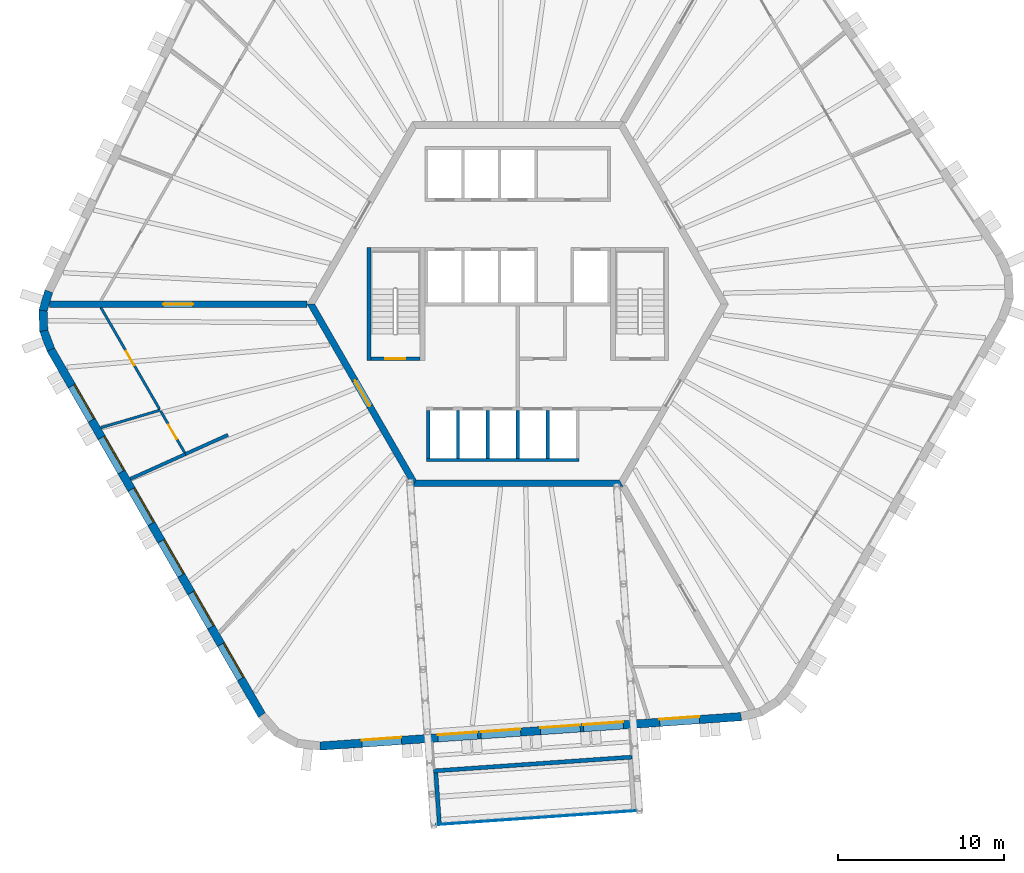
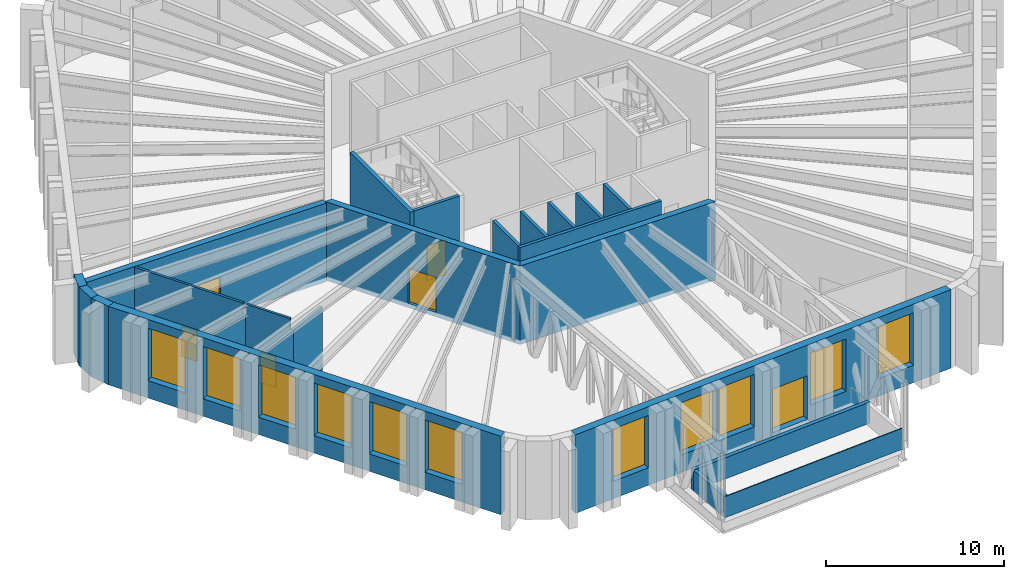
# One storey, part 3 of 9: 24 walls, 11 windows, 6 doors, 17 openings.
"""IFC4 building model written with IfcOpenShell, lengths in metres."""

import ifcopenshell
import ifcopenshell.guid

model = None  # the IFC model being written
_history = None  # IfcOwnerHistory: only IFC2X3 demands one
_inside = {}  # id of a spatial element -> (the spatial element, [elements in it])
_under = {}  # id of a project, library or spatial element -> (it, [spatial elements below it])
_declared = {}  # id of a project -> (the project, [libraries it declares])
_typed = {}  # id of a type object -> (the type object, [elements of that type])
_made_of = {}  # id of a material, layer set ... -> (it, [elements and type objects made of it])


def new_model(schema):
    """Start an empty IFC model of exactly this schema.

    Asked for "IFC4X3", IfcOpenShell would pick the latest addendum, in which some entities
    have other attributes; the version numbers below select the first issue.
    IFC2X3 requires an IfcOwnerHistory on every rooted entity: one is made here for all.
    """
    global model, _history
    if schema == "IFC4X3":
        model = ifcopenshell.file(schema_version=(4, 3, 0, 0))
    else:
        model = ifcopenshell.file(schema=schema)
    _inside.clear()
    _under.clear()
    _declared.clear()
    _typed.clear()
    _made_of.clear()
    _history = None
    if model.schema == "IFC2X3":
        org = make("IfcOrganization", Name="unknown")
        user = make(
            "IfcPersonAndOrganization",
            ThePerson=make("IfcPerson", FamilyName="unknown"),
            TheOrganization=org,
        )
        app = make(
            "IfcApplication",
            ApplicationDeveloper=org,
            Version="unknown",
            ApplicationFullName="unknown",
            ApplicationIdentifier="unknown",
        )
        _history = make(
            "IfcOwnerHistory",
            OwningUser=user,
            OwningApplication=app,
            ChangeAction="ADDED",
            CreationDate=0,
        )
    return model


def make(cls, **values):
    """One entity of the class cls with the attributes given. An attribute that is None is left unset."""
    return model.create_entity(
        cls, **{name: value for name, value in values.items() if value is not None}
    )


def rooted(cls, **values):
    """An entity with a GlobalId (a new one), such as an element, a storey or a relation."""
    return make(cls, GlobalId=ifcopenshell.guid.new(), OwnerHistory=_history, **values)


def si_unit(unit_type, name, prefix=None):
    """IfcSIUnit, for example si_unit("LENGTHUNIT", "METRE", prefix="MILLI")."""
    return make("IfcSIUnit", UnitType=unit_type, Prefix=prefix, Name=name)


def assignment(units):
    """IfcUnitAssignment: the units of a project."""
    return None if units is None else make("IfcUnitAssignment", Units=units)


def point(xyz):
    """IfcCartesianPoint."""
    return None if xyz is None else make("IfcCartesianPoint", Coordinates=xyz)


def direction(xyz):
    """IfcDirection."""
    return None if xyz is None else make("IfcDirection", DirectionRatios=xyz)


def frame(location, z_axis=None, x_axis=None):
    """IfcAxis2Placement3D, a coordinate frame: its origin and axes. An axis left out is left unset."""
    return make(
        "IfcAxis2Placement3D",
        Location=point(location),
        Axis=direction(z_axis),
        RefDirection=direction(x_axis),
    )


def frame_2d(location, x_axis=None):
    """IfcAxis2Placement2D, a coordinate frame in the plane: its origin and x axis."""
    return make(
        "IfcAxis2Placement2D", Location=point(location), RefDirection=direction(x_axis)
    )


def origin():
    """The frame at (0, 0, 0) with its axes left unset."""
    return frame((0.0, 0.0, 0.0))


def place(relative_to, where):
    """IfcLocalPlacement: puts the frame where relative to a parent placement (None: the world)."""
    return make(
        "IfcLocalPlacement", PlacementRelTo=relative_to, RelativePlacement=where
    )


def context(
    kind, dimensions, precision=None, world=None, true_north=None, identifier=None
):
    """IfcGeometricRepresentationContext, for example the 3D "Model" context."""
    return make(
        "IfcGeometricRepresentationContext",
        ContextIdentifier=identifier,
        ContextType=kind,
        CoordinateSpaceDimension=dimensions,
        Precision=precision,
        WorldCoordinateSystem=world,
        TrueNorth=true_north,
    )


def subcontext(parent, identifier, kind, view, scale=None):
    """IfcGeometricRepresentationSubContext, for example "Body" below "Model"."""
    return make(
        "IfcGeometricRepresentationSubContext",
        ContextIdentifier=identifier,
        ContextType=kind,
        ParentContext=parent,
        TargetScale=scale,
        TargetView=view,
    )


def project(units=None, contexts=None):
    """IfcProject with its units and contexts."""
    return rooted(
        "IfcProject",
        Name="project",
        RepresentationContexts=contexts,
        UnitsInContext=assignment(units),
    )


def spatial(cls, under=None, at=None, **own):
    """A site, building, storey or space (cls), placed at a placement, below another one or the project."""
    s = rooted(cls, ObjectPlacement=at, **own)
    if under is not None:
        _under.setdefault(under.id(), (under, []))[1].append(s)
    return s


def polyline(points):
    """IfcPolyline through the points."""
    return make("IfcPolyline", Points=[point(p) for p in points])


def profile(cls, at=None, kind="AREA", **sizes):
    """A parametric profile (cls). Its sizes go by their IFC names, for example OverallWidth=200.0."""
    return make(cls, ProfileType=kind, Position=at, **sizes)


def rectangle(**sizes):
    """IfcRectangleProfileDef."""
    return profile("IfcRectangleProfileDef", **sizes)


def outline(outer, holes=None, kind="AREA"):
    """IfcArbitraryClosedProfileDef: a profile drawn as a closed curve; with holes, ...WithVoids."""
    if holes is None:
        return make("IfcArbitraryClosedProfileDef", ProfileType=kind, OuterCurve=outer)
    return make(
        "IfcArbitraryProfileDefWithVoids",
        ProfileType=kind,
        OuterCurve=outer,
        InnerCurves=holes,
    )


def extrude(swept, where, along, depth):
    """IfcExtrudedAreaSolid: the profile swept, set in the frame where, extruded along a direction by depth."""
    return make(
        "IfcExtrudedAreaSolid",
        SweptArea=swept,
        Position=where,
        ExtrudedDirection=direction(along),
        Depth=depth,
    )


def shape(context_of_items, identifier, shape_type, items):
    """IfcShapeRepresentation: the items that make up one representation, for example the "Body"."""
    return make(
        "IfcShapeRepresentation",
        ContextOfItems=context_of_items,
        RepresentationIdentifier=identifier,
        RepresentationType=shape_type,
        Items=items,
    )


def material(Name=None, Category=None):
    """IfcMaterial."""
    return make("IfcMaterial", Name=Name, Category=Category)


def layer(
    of_material, thickness, ventilated=None, Name=None, Category=None, Priority=None
):
    """IfcMaterialLayer: one layer of a wall or slab, of a material (None: an air gap)."""
    return make(
        "IfcMaterialLayer",
        Material=of_material,
        LayerThickness=thickness,
        IsVentilated=ventilated,
        Name=Name,
        Category=Category,
        Priority=Priority,
    )


def layer_set(layers, Name=None):
    """IfcMaterialLayerSet."""
    return make("IfcMaterialLayerSet", MaterialLayers=layers, LayerSetName=Name)


def made_of(thing, what):
    """Note that an element or type object is made of a material, layer set ...; save() writes the relation."""
    if what is not None:
        _made_of.setdefault(what.id(), (what, []))[1].append(thing)
    return thing


def type_object(cls, material=None, **own):
    """A type object (cls), such as IfcWallType, which elements share."""
    return made_of(rooted(cls, **own), material)


def element(
    cls,
    number,
    at=None,
    inside=None,
    cuts=None,
    type_object=None,
    material=None,
    context=None,
    identifier="Body",
    shape_type=None,
    held_by="IfcProductDefinitionShape",
    body=None,
    shapes=None,
    **own,
):
    """One element of the class cls, such as IfcWall. Its Tag is "e" and its number.

    at: its placement. inside: the storey or other place that contains it. cuts: it is an
    opening in that element (IfcRelVoidsElement). A single representation is given by context,
    identifier, shape_type and body (its items); several are given by shapes. held_by: the class
    of the entity that holds the representations. save() writes the other relations.
    """
    e = rooted(cls, Tag="e%d" % number, ObjectPlacement=at, **own)
    if body is not None:
        shapes = [shape(context, identifier, shape_type, body)]
    if shapes is not None:
        e.Representation = make(held_by, Representations=shapes)
    if inside is not None:
        _inside.setdefault(inside.id(), (inside, []))[1].append(e)
    if cuts is not None:
        rooted(
            "IfcRelVoidsElement", RelatingBuildingElement=cuts, RelatedOpeningElement=e
        )
    if type_object is not None:
        _typed.setdefault(type_object.id(), (type_object, []))[1].append(e)
    return made_of(e, material)


def fill(opening, filler):
    """IfcRelFillsElement: the door or window that sits in an opening."""
    return rooted(
        "IfcRelFillsElement",
        RelatingOpeningElement=opening,
        RelatedBuildingElement=filler,
    )


def aggregate(whole, parts):
    """IfcRelAggregates: a whole, such as a stair, and the parts it consists of."""
    return rooted("IfcRelAggregates", RelatingObject=whole, RelatedObjects=parts)


def save(model, path):
    """Write the relations noted so far, then the file.

    IfcRelAggregates (storeys below a building ...), IfcRelContainedInSpatialStructure (elements
    in a storey), IfcRelDefinesByType, IfcRelAssociatesMaterial and IfcRelDeclares: one each for
    every whole, place, type object, material and project.
    """
    for whole, parts in _under.values():
        aggregate(whole, parts)
    for where, things in _inside.values():
        rooted(
            "IfcRelContainedInSpatialStructure",
            RelatedElements=things,
            RelatingStructure=where,
        )
    for kind, things in _typed.values():
        rooted("IfcRelDefinesByType", RelatedObjects=things, RelatingType=kind)
    for what, things in _made_of.values():
        rooted("IfcRelAssociatesMaterial", RelatedObjects=things, RelatingMaterial=what)
    for by, libraries in _declared.values():
        rooted("IfcRelDeclares", RelatingContext=by, RelatedDefinitions=libraries)
    model.write(path)


model = new_model("IFC4")

# Units and contexts
model_context = context("Model", 3, precision=1e-05, world=origin(), true_north=direction((0.0, 1.0)))
body_context = subcontext(model_context, "Body", "Model", "MODEL_VIEW")
ifc_project = project(units=[si_unit("LENGTHUNIT", "METRE"), si_unit("AREAUNIT", "SQUARE_METRE"), si_unit("VOLUMEUNIT", "CUBIC_METRE"), si_unit("PLANEANGLEUNIT", "RADIAN"), si_unit("MASSUNIT", "GRAM", prefix="KILO")], contexts=[model_context])

# Site, building, storey
site_placement = place(None, origin())
site = spatial("IfcSite", under=ifc_project, at=site_placement, CompositionType="ELEMENT")
building_placement = place(site_placement, origin())
building = spatial("IfcBuilding", under=site, at=building_placement, Name="Tarnside Tower", CompositionType="ELEMENT")
storey_placement = place(building_placement, frame((0.0, 0.0, 338.10009765625)))
storey = spatial("IfcBuildingStorey", under=building, at=storey_placement, Name="L82", CompositionType="ELEMENT", Elevation=338.10009765625)

# Wall, opening, door
ifc_material_1 = material(Name="Concrete C60/75", Category="concrete")
ifc_layer_1 = layer(ifc_material_1, 0.39990234375)
ifc_layer_set_1 = layer_set([ifc_layer_1], Name="Core wall Z3 400 C60/75")
wall_type_1 = type_object("IfcWallType", Name="Core wall Z3 400 C60/75", PredefinedType="SHEAR", material=ifc_layer_set_1)
wall_1_placement = place(storey_placement, frame((-12.470703125, 0.0, -0.300048828125), z_axis=(0.0, 0.0, 1.0), x_axis=(0.499996419489, -0.866027470984, 0.0)))
wall_1 = element("IfcWall", 1, at=wall_1_placement, inside=storey, type_object=wall_type_1, Name="L82 core wall face 3", PredefinedType="SHEAR", context=body_context, shape_type="SweptSolid", body=[
    extrude(outline(polyline([(-0.115478515625, -0.199951171875), (12.586181640625, -0.199951171875), (12.355224609375, 0.199951171875), (0.115478515625, 0.199951171875), (-0.115478515625, -0.199951171875)])), origin(), (0.0, 0.0, 1.0), 5.39990234375),
])
opening_1_placement = place(wall_1_placement, frame((5.306396484375, 0.0, 0.300048828125)))
opening_1 = element("IfcOpeningElement", 2, at=opening_1_placement, cuts=wall_1, Name="Opening CD-FFL", PredefinedType="OPENING", context=body_context, shape_type="SweptSolid", body=[
    extrude(rectangle(XDim=1.800048828125, YDim=2.39990234375, at=frame_2d((0.89990234375, 1.199951171875))), frame((0.0, 0.2099609375, 0.0), z_axis=(0.0, -1.0, 0.0), x_axis=(1.0, 0.0, 0.0)), (0.0, 0.0, 1.0), 0.419921875),
])
ifc_material_2 = material(Name="Steel fire door", Category="steel")
door_type_1 = type_object("IfcDoorType", Name="Firefighting lobby double door FD60S 1800x2400", OperationType="NOTDEFINED", PredefinedType="DOOR", material=ifc_material_2)
door_1_placement = place(opening_1_placement, origin())
door_1 = element("IfcDoor", 3, at=door_1_placement, inside=storey, type_object=door_type_1, Name="L82 core door P3", OperationType="DOUBLE_DOOR_SINGLE_SWING", OverallHeight=2.39990234375, OverallWidth=1.800048828125, PredefinedType="DOOR", context=body_context, shape_type="SweptSolid", body=[
    extrude(rectangle(XDim=1.800048828125, YDim=2.39990234375, at=frame_2d((0.89990234375, 1.199951171875))), frame((0.0, 0.02490234375, 0.0), z_axis=(0.0, -1.0, 0.0), x_axis=(1.0, 0.0, 0.0)), (0.0, 0.0, 1.0), 0.050048828125),
])
fill(opening_1, door_1)

# Wall
wall_2_placement = place(storey_placement, frame((-6.2353515625, -10.800048828125, -0.300048828125), z_axis=(0.0, 0.0, 1.0), x_axis=(1.0, 0.0, 0.0)))
element("IfcWall", 4, at=wall_2_placement, inside=storey, type_object=wall_type_1, Name="L82 core wall face 4", PredefinedType="SHEAR", context=body_context, shape_type="SweptSolid", body=[
    extrude(outline(polyline([(-0.115478515625, -0.199951171875), (12.586181640625, -0.199951171875), (12.355224609375, 0.199951171875), (0.115478515625, 0.199951171875), (-0.115478515625, -0.199951171875)])), origin(), (0.0, 0.0, 1.0), 5.39990234375),
])

# Wall, opening, door
wall_3_placement = place(storey_placement, frame((-12.70166015625, 0.0, -0.300048828125), z_axis=(0.0, 0.0, 1.0), x_axis=(-1.0, 0.0, 0.0)))
wall_3 = element("IfcWall", 5, at=wall_3_placement, inside=storey, type_object=wall_type_1, Name="L82 spine wall 2", PredefinedType="SHEAR", context=body_context, shape_type="SweptSolid", body=[
    extrude(rectangle(XDim=15.54443359375, YDim=0.39990234375, at=frame_2d((7.772216796875, 0.0))), origin(), (0.0, 0.0, 1.0), 5.39990234375),
])
opening_2_placement = place(wall_3_placement, frame((6.872314453125, 0.0, 0.300048828125)))
opening_2 = element("IfcOpeningElement", 6, at=opening_2_placement, cuts=wall_3, Name="Opening CD-SPN", PredefinedType="OPENING", context=body_context, shape_type="SweptSolid", body=[
    extrude(rectangle(XDim=1.800048828125, YDim=2.39990234375, at=frame_2d((0.89990234375, 1.199951171875))), frame((0.0, 0.2099609375, 0.0), z_axis=(0.0, -1.0, 0.0), x_axis=(1.0, 0.0, 0.0)), (0.0, 0.0, 1.0), 0.419921875),
])
door_type_2 = type_object("IfcDoorType", Name="Spine passage double door FD60 1800x2400", OperationType="NOTDEFINED", PredefinedType="DOOR", material=ifc_material_2)
door_2_placement = place(opening_2_placement, origin())
door_2 = element("IfcDoor", 7, at=door_2_placement, inside=storey, type_object=door_type_2, Name="L82 spine passage door 2", OperationType="DOUBLE_DOOR_SINGLE_SWING", OverallHeight=2.39990234375, OverallWidth=1.800048828125, PredefinedType="DOOR", context=body_context, shape_type="SweptSolid", body=[
    extrude(rectangle(XDim=1.800048828125, YDim=2.39990234375, at=frame_2d((0.89990234375, 1.199951171875))), frame((0.0, 0.02490234375, 0.0), z_axis=(0.0, -1.0, 0.0), x_axis=(1.0, 0.0, 0.0)), (0.0, 0.0, 1.0), 0.050048828125),
])
fill(opening_2, door_2)

# Walls
ifc_material_3 = material(Name="Concrete C40/50", Category="concrete")
ifc_layer_2 = layer(ifc_material_3, 0.199951171875)
ifc_layer_set_2 = layer_set([ifc_layer_2], Name="Lift shaft wall 200 C40/50")
wall_type_2 = type_object("IfcWallType", Name="Lift shaft wall 200 C40/50", PredefinedType="SHEAR", material=ifc_layer_set_2)
wall_4_placement = place(storey_placement, frame((-5.5, -9.39990234375, -0.25), z_axis=(0.0, 0.0, 1.0), x_axis=(1.0, 0.0, 0.0)))
element("IfcWall", 8, at=wall_4_placement, inside=storey, type_object=wall_type_2, Name="L82 lift shaft back wall R4", PredefinedType="SHEAR", context=body_context, shape_type="SweptSolid", body=[
    extrude(rectangle(XDim=9.199951171875, YDim=0.199951171875, at=frame_2d((4.60009765625, 0.0))), origin(), (0.0, 0.0, 1.0), 5.39990234375),
])
for number, where, z_axis, x_axis, name in (
    (9, (-5.39990234375, -9.300048828125, -0.25), (0.0, 0.0, 1.0), (0.0, 1.0, 0.0), "L82 lift shaft partition R41"),
    (10, (-3.60009765625, -9.300048828125, -0.25), (0.0, 0.0, 1.0), (0.0, 1.0, 0.0), "L82 lift shaft partition R42"),
    (11, (-1.800048828125, -9.300048828125, -0.25), (0.0, 0.0, 1.0), (0.0, 1.0, 0.0), "L82 lift shaft partition R43"),
    (12, (0.0, -9.300048828125, -0.25), (0.0, 0.0, 1.0), (0.0, 1.0, 0.0), "L82 lift shaft partition R44"),
    (13, (1.800048828125, -9.300048828125, -0.25), (0.0, 0.0, 1.0), (0.0, 1.0, 0.0), "L82 lift shaft partition R45"),
):
    element("IfcWall", number, at=place(storey_placement, frame(where, z_axis=z_axis, x_axis=x_axis)), inside=storey, type_object=wall_type_2, Name=name, PredefinedType="SHEAR", context=body_context, shape_type="SweptSolid", body=[
        extrude(rectangle(XDim=2.900146484375, YDim=0.199951171875, at=frame_2d((1.4501953125, 0.0))), origin(), (0.0, 0.0, 1.0), 5.39990234375),
    ])

# Wall, opening, door
wall_5_placement = place(storey_placement, frame((-8.85009765625, -3.300048828125, -0.25), z_axis=(0.0, 0.0, 1.0), x_axis=(1.0, 0.0, 0.0)))
wall_5 = element("IfcWall", 14, at=wall_5_placement, inside=storey, type_object=wall_type_2, Name="L82 stair 2 enclosure cap wall s", PredefinedType="SHEAR", context=body_context, shape_type="SweptSolid", body=[
    extrude(rectangle(XDim=2.9501953125, YDim=0.199951171875, at=frame_2d((1.47509765625, 0.0))), origin(), (0.0, 0.0, 1.0), 5.39990234375),
])
opening_3_placement = place(wall_5_placement, frame((0.875, 0.0, 0.25)))
opening_3 = element("IfcOpeningElement", 15, at=opening_3_placement, cuts=wall_5, Name="Opening CD-STR", PredefinedType="OPENING", context=body_context, shape_type="SweptSolid", body=[
    extrude(rectangle(XDim=1.199951171875, YDim=2.39990234375, at=frame_2d((0.60009765625, 1.199951171875))), frame((0.0, 0.10986328125, 0.0), z_axis=(0.0, -1.0, 0.0), x_axis=(1.0, 0.0, 0.0)), (0.0, 0.0, 1.0), 0.219970703125),
])
door_type_3 = type_object("IfcDoorType", Name="Stair door FD60S 1200x2400", OperationType="NOTDEFINED", PredefinedType="DOOR", material=ifc_material_2)
door_3_placement = place(opening_3_placement, origin())
door_3 = element("IfcDoor", 16, at=door_3_placement, inside=storey, type_object=door_type_3, Name="L82 stair 2 door", OperationType="SINGLE_SWING_LEFT", OverallHeight=2.39990234375, OverallWidth=1.199951171875, PredefinedType="DOOR", context=body_context, shape_type="SweptSolid", body=[
    extrude(rectangle(XDim=1.199951171875, YDim=2.39990234375, at=frame_2d((0.60009765625, 1.199951171875))), frame((0.0, 0.02490234375, 0.0), z_axis=(0.0, -1.0, 0.0), x_axis=(1.0, 0.0, 0.0)), (0.0, 0.0, 1.0), 0.050048828125),
])
fill(opening_3, door_3)

# Wall
ifc_material_4 = material(Name="Gypsum board")
ifc_layer_3 = layer(ifc_material_4, 0.14990234375)
ifc_layer_set_3 = layer_set([ifc_layer_3], Name="Partition 150 gypsum board on metal stud")
wall_type_3 = type_object("IfcWallType", Name="Partition 150 gypsum board on metal stud", PredefinedType="PARTITIONING", material=ifc_layer_set_3)
wall_6_placement = place(storey_placement, frame((-25.14111328125, -7.4541015625, 0.0), z_axis=(0.0, 0.0, 1.0), x_axis=(0.958757197132, 0.28422638327, 0.0)))
element("IfcWall", 17, at=wall_6_placement, inside=storey, type_object=wall_type_3, Name="Partition 000", PredefinedType="PARTITIONING", context=body_context, shape_type="SweptSolid", body=[
    extrude(rectangle(XDim=3.733154296875, YDim=0.14990234375, at=frame_2d((1.86669921875, 0.0))), origin(), (0.0, 0.0, 1.0), 4.345947265625),
])

# Wall, opening, door
wall_7_placement = place(storey_placement, frame((-21.6005859375, -6.326171875, 0.0), z_axis=(0.0, 0.0, 1.0), x_axis=(-0.500040111433, 0.866002244199, 0.0)))
wall_7 = element("IfcWall", 18, at=wall_7_placement, inside=storey, type_object=wall_type_3, Name="Partition 001", PredefinedType="PARTITIONING", context=body_context, shape_type="SweptSolid", body=[
    extrude(rectangle(XDim=7.07421875, YDim=0.14990234375, at=frame_2d((3.537109375, 0.0))), origin(), (0.0, 0.0, 1.0), 5.099853515625),
])
opening_4_placement = place(wall_7_placement, frame((3.037109375, 0.0, 0.0)))
opening_4 = element("IfcOpeningElement", 19, at=opening_4_placement, cuts=wall_7, Name="Opening D1000", PredefinedType="OPENING", context=body_context, shape_type="SweptSolid", body=[
    extrude(rectangle(XDim=1.0, YDim=2.10009765625, at=frame_2d((0.5, 1.050048828125))), frame((0.0, 0.0849609375, 0.0), z_axis=(0.0, -1.0, 0.0), x_axis=(1.0, 0.0, 0.0)), (0.0, 0.0, 1.0), 0.169921875),
])
ifc_material_5 = material(Name="Timber door leaf", Category="wood")
door_type_4 = type_object("IfcDoorType", Name="Door 1000 x 2100 single leaf", OperationType="NOTDEFINED", PredefinedType="DOOR", material=ifc_material_5)
door_4_placement = place(opening_4_placement, origin())
door_4 = element("IfcDoor", 20, at=door_4_placement, inside=storey, type_object=door_type_4, Name="Door L82-01", OperationType="SINGLE_SWING_RIGHT", OverallHeight=2.10009765625, OverallWidth=1.0, PredefinedType="DOOR", context=body_context, shape_type="SweptSolid", body=[
    extrude(rectangle(XDim=1.0, YDim=2.10009765625, at=frame_2d((0.5, 1.050048828125))), frame((0.0, 0.02490234375, 0.0), z_axis=(0.0, -1.0, 0.0), x_axis=(1.0, 0.0, 0.0)), (0.0, 0.0, 1.0), 0.050048828125),
])
fill(opening_4, door_4)

wall_8_placement = place(storey_placement, frame((-20.084228515625, -8.953857421875, 0.0), z_axis=(0.0, 0.0, 1.0), x_axis=(-0.499795848753, 0.866143238483, 0.0)))
wall_8 = element("IfcWall", 21, at=wall_8_placement, inside=storey, type_object=wall_type_3, Name="Partition 004", PredefinedType="PARTITIONING", context=body_context, shape_type="SweptSolid", body=[
    extrude(rectangle(XDim=2.879638671875, YDim=0.14990234375, at=frame_2d((1.43994140625, 0.0))), origin(), (0.0, 0.0, 1.0), 5.099853515625),
])
opening_5_placement = place(wall_8_placement, frame((0.939697265625, 0.0, 0.0)))
opening_5 = element("IfcOpeningElement", 22, at=opening_5_placement, cuts=wall_8, Name="Opening D1000", PredefinedType="OPENING", context=body_context, shape_type="SweptSolid", body=[
    extrude(rectangle(XDim=1.0, YDim=2.10009765625, at=frame_2d((0.5, 1.050048828125))), frame((0.0, 0.0849609375, 0.0), z_axis=(0.0, -1.0, 0.0), x_axis=(1.0, 0.0, 0.0)), (0.0, 0.0, 1.0), 0.169921875),
])
door_5_placement = place(opening_5_placement, origin())
door_5 = element("IfcDoor", 23, at=door_5_placement, inside=storey, type_object=door_type_4, Name="Door L82-02", OperationType="SINGLE_SWING_LEFT", OverallHeight=2.10009765625, OverallWidth=1.0, PredefinedType="DOOR", context=body_context, shape_type="SweptSolid", body=[
    extrude(rectangle(XDim=1.0, YDim=2.10009765625, at=frame_2d((0.5, 1.050048828125))), frame((0.0, 0.02490234375, 0.0), z_axis=(0.0, -1.0, 0.0), x_axis=(1.0, 0.0, 0.0)), (0.0, 0.0, 1.0), 0.050048828125),
])
fill(opening_5, door_5)

# Walls
ifc_material_6 = material(Name="Concrete C50/60", Category="concrete")
ifc_layer_4 = layer(ifc_material_6, 0.25)
ifc_layer_set_4 = layer_set([ifc_layer_4], Name="Pool basin wall 250")
wall_type_4 = type_object("IfcWallType", Name="Pool basin wall 250", PredefinedType="SOLIDWALL", material=ifc_layer_set_4)
wall_9_placement = place(storey_placement, frame((-5.07373046875, -28.1474609375, -0.35009765625), z_axis=(0.0, 0.0, 1.0), x_axis=(0.997563655782, 0.069762114814, 0.0)))
element("IfcWall", 24, at=wall_9_placement, inside=storey, type_object=wall_type_4, Name="Sky pool wall, deck side", PredefinedType="SOLIDWALL", context=body_context, shape_type="SweptSolid", body=[
    extrude(rectangle(XDim=12.000244140625, YDim=0.25, at=frame_2d((6.0, 0.0))), origin(), (0.0, 0.0, 1.0), 1.449951171875),
])
wall_10_placement = place(storey_placement, frame((-4.940185546875, -28.263427734375, -0.35009765625), z_axis=(0.0, 0.0, 1.0), x_axis=(0.069764656353, -0.997563478042, 0.0)))
element("IfcWall", 25, at=wall_10_placement, inside=storey, type_object=wall_type_4, Name="Sky pool side wall a", PredefinedType="SOLIDWALL", context=body_context, shape_type="SweptSolid", body=[
    extrude(rectangle(XDim=3.090087890625, YDim=0.25, at=frame_2d((1.544921875, 0.0))), origin(), (0.0, 0.0, 1.0), 1.449951171875),
])
ifc_material_7 = material(Name="Structural safety glass", Category="glass")
ifc_layer_5 = layer(ifc_material_7, 0.06005859375)
ifc_layer_set_5 = layer_set([ifc_layer_5], Name="Pool glass front wall 60")
wall_type_5 = type_object("IfcWallType", Name="Pool glass front wall 60", PredefinedType="SOLIDWALL", material=ifc_layer_set_5)
wall_11_placement = place(storey_placement, frame((-4.900146484375, -31.38818359375, -0.35009765625), z_axis=(0.0, 0.0, 1.0), x_axis=(0.997563951677, 0.069757883531, 0.0)))
element("IfcWall", 26, at=wall_11_placement, inside=storey, type_object=wall_type_5, Name="Sky pool glass front", PredefinedType="SOLIDWALL", context=body_context, shape_type="SweptSolid", body=[
    extrude(rectangle(XDim=12.10595703125, YDim=0.06005859375, at=frame_2d((6.052978515625, 0.0))), origin(), (0.0, 0.0, 1.0), 1.449951171875),
])
ifc_layer_6 = layer(ifc_material_3, 0.25)
ifc_layer_set_6 = layer_set([ifc_layer_6], Name="Stair enclosure wall 250 C40/50")
wall_type_6 = type_object("IfcWallType", Name="Stair enclosure wall 250 C40/50", PredefinedType="SHEAR", material=ifc_layer_set_6)
wall_12_placement = place(storey_placement, frame((-8.97509765625, -3.39990234375, -0.25), z_axis=(0.0, 0.0, 1.0), x_axis=(0.0, 1.0, 0.0)))
element("IfcWall", 27, at=wall_12_placement, inside=storey, type_object=wall_type_6, Name="L82 stair 2 enclosure wall outer", PredefinedType="SHEAR", context=body_context, shape_type="SweptSolid", body=[
    extrude(rectangle(XDim=6.7998046875, YDim=0.25, at=frame_2d((3.39990234375, 0.0))), origin(), (0.0, 0.0, 1.0), 5.39990234375),
])
ifc_material_8 = material(Name="Facing brick", Category="masonry")
ifc_layer_7 = layer(ifc_material_8, 0.10205078125)
ifc_material_9 = material(Name="Concrete C60/75 precast", Category="concrete")
ifc_layer_8 = layer(ifc_material_9, 0.298095703125)
ifc_material_10 = material(Name="Mineral wool insulation")
ifc_layer_9 = layer(ifc_material_10, 0.10009765625)
ifc_layer_set_7 = layer_set([ifc_layer_7, ifc_layer_8, ifc_layer_9], Name="Tube wall 500 brick faced")
wall_type_7 = type_object("IfcWallType", Name="Tube wall 500 brick faced", PredefinedType="SOLIDWALL", material=ifc_layer_set_7)
wall_13_placement = place(storey_placement, frame((-28.271728515625, 0.7744140625, -0.300048828125), z_axis=(0.0, 0.0, 1.0), x_axis=(-0.286813843218, -0.957986335674, 0.0)))
element("IfcWall", 28, at=wall_13_placement, inside=storey, type_object=wall_type_7, Name="Tube wall L82 F2 chord 05", PredefinedType="SOLIDWALL", context=body_context, shape_type="SweptSolid", body=[
    extrude(outline(polyline([(-0.0205078125, -0.25), (1.25732421875, -0.25), (1.17529296875, 0.25), (0.0205078125, 0.25), (-0.0205078125, -0.25)])), origin(), (0.0, 0.0, 1.0), 5.39990234375),
])
wall_14_placement = place(storey_placement, frame((-28.62060546875, -0.390869140625, -0.300048828125), z_axis=(0.0, 0.0, 1.0), x_axis=(0.034925456137, -0.999389920158, 0.0)))
element("IfcWall", 29, at=wall_14_placement, inside=storey, type_object=wall_type_7, Name="Tube wall L82 F2 chord 06", PredefinedType="SOLIDWALL", context=body_context, shape_type="SweptSolid", body=[
    extrude(outline(polyline([(-0.041015625, -0.25), (1.25732421875, -0.25), (1.17529296875, 0.25), (0.041015625, 0.25), (-0.041015625, -0.25)])), origin(), (0.0, 0.0, 1.0), 5.39990234375),
])
wall_15_placement = place(storey_placement, frame((-28.578125, -1.6064453125, -0.300048828125), z_axis=(0.0, 0.0, 1.0), x_axis=(0.352838463023, -0.935684251771, 0.0)))
element("IfcWall", 30, at=wall_15_placement, inside=storey, type_object=wall_type_7, Name="Tube wall L82 F2 chord 07", PredefinedType="SOLIDWALL", context=body_context, shape_type="SweptSolid", body=[
    extrude(outline(polyline([(-0.041015625, -0.25), (1.23681640625, -0.25), (1.19580078125, 0.25), (0.041015625, 0.25), (-0.041015625, -0.25)])), origin(), (0.0, 0.0, 1.0), 5.39990234375),
])

# Wall, openings, windows
wall_16_placement = place(storey_placement, frame((-28.14892578125, -2.74462890625, -0.300048828125), z_axis=(0.0, 0.0, 1.0), x_axis=(0.500003737743, -0.866023245787, 0.0)))
wall_16 = element("IfcWall", 31, at=wall_16_placement, inside=storey, type_object=wall_type_7, Name="Tube wall L82 F3 flush 08", PredefinedType="SOLIDWALL", context=body_context, shape_type="SweptSolid", body=[
    extrude(outline(polyline([(-0.0205078125, -0.25), (25.468017578125, -0.25), (25.421142578125, 0.25), (0.0205078125, 0.25), (-0.0205078125, -0.25)])), origin(), (0.0, 0.0, 1.0), 5.39990234375),
])
opening_6_placement = place(wall_16_placement, frame((2.5224609375, 0.0, 1.199951171875)))
opening_6 = element("IfcOpeningElement", 32, at=opening_6_placement, cuts=wall_16, Name="Opening WA", PredefinedType="OPENING", context=body_context, shape_type="SweptSolid", body=[
    extrude(rectangle(XDim=2.39990234375, YDim=3.60009765625, at=frame_2d((1.199951171875, 1.800048828125))), frame((0.0, 0.260009765625, 0.0), z_axis=(0.0, -1.0, 0.0), x_axis=(1.0, 0.0, 0.0)), (0.0, 0.0, 1.0), 0.52001953125),
])
opening_7_placement = place(wall_16_placement, frame((6.122314453125, 0.0, 1.199951171875)))
opening_7 = element("IfcOpeningElement", 33, at=opening_7_placement, cuts=wall_16, Name="Opening WA", PredefinedType="OPENING", context=body_context, shape_type="SweptSolid", body=[
    extrude(rectangle(XDim=2.39990234375, YDim=3.60009765625, at=frame_2d((1.199951171875, 1.800048828125))), frame((0.0, 0.260009765625, 0.0), z_axis=(0.0, -1.0, 0.0), x_axis=(1.0, 0.0, 0.0)), (0.0, 0.0, 1.0), 0.52001953125),
])
opening_8_placement = place(wall_16_placement, frame((9.722412109375, 0.0, 1.199951171875)))
opening_8 = element("IfcOpeningElement", 34, at=opening_8_placement, cuts=wall_16, Name="Opening WA", PredefinedType="OPENING", context=body_context, shape_type="SweptSolid", body=[
    extrude(rectangle(XDim=2.39990234375, YDim=3.60009765625, at=frame_2d((1.199951171875, 1.800048828125))), frame((0.0, 0.260009765625, 0.0), z_axis=(0.0, -1.0, 0.0), x_axis=(1.0, 0.0, 0.0)), (0.0, 0.0, 1.0), 0.52001953125),
])
opening_9_placement = place(wall_16_placement, frame((13.322509765625, 0.0, 1.199951171875)))
opening_9 = element("IfcOpeningElement", 35, at=opening_9_placement, cuts=wall_16, Name="Opening WA", PredefinedType="OPENING", context=body_context, shape_type="SweptSolid", body=[
    extrude(rectangle(XDim=2.39990234375, YDim=3.60009765625, at=frame_2d((1.199951171875, 1.800048828125))), frame((0.0, 0.260009765625, 0.0), z_axis=(0.0, -1.0, 0.0), x_axis=(1.0, 0.0, 0.0)), (0.0, 0.0, 1.0), 0.52001953125),
])
opening_10_placement = place(wall_16_placement, frame((16.92236328125, 0.0, 1.199951171875)))
opening_10 = element("IfcOpeningElement", 36, at=opening_10_placement, cuts=wall_16, Name="Opening WA", PredefinedType="OPENING", context=body_context, shape_type="SweptSolid", body=[
    extrude(rectangle(XDim=2.39990234375, YDim=3.60009765625, at=frame_2d((1.199951171875, 1.800048828125))), frame((0.0, 0.260009765625, 0.0), z_axis=(0.0, -1.0, 0.0), x_axis=(1.0, 0.0, 0.0)), (0.0, 0.0, 1.0), 0.52001953125),
])
opening_11_placement = place(wall_16_placement, frame((20.5224609375, 0.0, 1.199951171875)))
opening_11 = element("IfcOpeningElement", 37, at=opening_11_placement, cuts=wall_16, Name="Opening WA", PredefinedType="OPENING", context=body_context, shape_type="SweptSolid", body=[
    extrude(rectangle(XDim=2.39990234375, YDim=3.60009765625, at=frame_2d((1.199951171875, 1.800048828125))), frame((0.0, 0.260009765625, 0.0), z_axis=(0.0, -1.0, 0.0), x_axis=(1.0, 0.0, 0.0)), (0.0, 0.0, 1.0), 0.52001953125),
])
ifc_material_11 = material(Name="Aluminium-framed double glazing", Category="aluminium")
window_type = type_object("IfcWindowType", Name="Amenity window 2400 x 3600", PartitioningType="DOUBLE_PANEL_VERTICAL", PredefinedType="WINDOW", material=ifc_material_11)
window_1_placement = place(opening_6_placement, frame((0.0, 0.179931640625, 0.0)))
window_1 = element("IfcWindow", 38, at=window_1_placement, inside=storey, type_object=window_type, Name="E.WN.L82.F3.00", OverallHeight=3.60009765625, OverallWidth=2.39990234375, PartitioningType="DOUBLE_PANEL_VERTICAL", PredefinedType="WINDOW", context=body_context, shape_type="SweptSolid", body=[
    extrude(rectangle(XDim=2.39990234375, YDim=3.60009765625, at=frame_2d((1.199951171875, 1.800048828125))), frame((0.0, 0.030029296875, 0.0), z_axis=(0.0, -1.0, 0.0), x_axis=(1.0, 0.0, 0.0)), (0.0, 0.0, 1.0), 0.06005859375),
])
fill(opening_6, window_1)
window_2_placement = place(opening_7_placement, frame((0.0, 0.179931640625, 0.0)))
window_2 = element("IfcWindow", 39, at=window_2_placement, inside=storey, type_object=window_type, Name="E.WN.L82.F3.01", OverallHeight=3.60009765625, OverallWidth=2.39990234375, PartitioningType="DOUBLE_PANEL_VERTICAL", PredefinedType="WINDOW", context=body_context, shape_type="SweptSolid", body=[
    extrude(rectangle(XDim=2.39990234375, YDim=3.60009765625, at=frame_2d((1.199951171875, 1.800048828125))), frame((0.0, 0.030029296875, 0.0), z_axis=(0.0, -1.0, 0.0), x_axis=(1.0, 0.0, 0.0)), (0.0, 0.0, 1.0), 0.06005859375),
])
fill(opening_7, window_2)
window_3_placement = place(opening_8_placement, frame((0.0, 0.179931640625, 0.0)))
window_3 = element("IfcWindow", 40, at=window_3_placement, inside=storey, type_object=window_type, Name="E.WN.L82.F3.02", OverallHeight=3.60009765625, OverallWidth=2.39990234375, PartitioningType="DOUBLE_PANEL_VERTICAL", PredefinedType="WINDOW", context=body_context, shape_type="SweptSolid", body=[
    extrude(rectangle(XDim=2.39990234375, YDim=3.60009765625, at=frame_2d((1.199951171875, 1.800048828125))), frame((0.0, 0.030029296875, 0.0), z_axis=(0.0, -1.0, 0.0), x_axis=(1.0, 0.0, 0.0)), (0.0, 0.0, 1.0), 0.06005859375),
])
fill(opening_8, window_3)
window_4_placement = place(opening_9_placement, frame((0.0, 0.179931640625, 0.0)))
window_4 = element("IfcWindow", 41, at=window_4_placement, inside=storey, type_object=window_type, Name="E.WN.L82.F3.03", OverallHeight=3.60009765625, OverallWidth=2.39990234375, PartitioningType="DOUBLE_PANEL_VERTICAL", PredefinedType="WINDOW", context=body_context, shape_type="SweptSolid", body=[
    extrude(rectangle(XDim=2.39990234375, YDim=3.60009765625, at=frame_2d((1.199951171875, 1.800048828125))), frame((0.0, 0.030029296875, 0.0), z_axis=(0.0, -1.0, 0.0), x_axis=(1.0, 0.0, 0.0)), (0.0, 0.0, 1.0), 0.06005859375),
])
fill(opening_9, window_4)
window_5_placement = place(opening_10_placement, frame((0.0, 0.179931640625, 0.0)))
window_5 = element("IfcWindow", 42, at=window_5_placement, inside=storey, type_object=window_type, Name="E.WN.L82.F3.04", OverallHeight=3.60009765625, OverallWidth=2.39990234375, PartitioningType="DOUBLE_PANEL_VERTICAL", PredefinedType="WINDOW", context=body_context, shape_type="SweptSolid", body=[
    extrude(rectangle(XDim=2.39990234375, YDim=3.60009765625, at=frame_2d((1.199951171875, 1.800048828125))), frame((0.0, 0.030029296875, 0.0), z_axis=(0.0, -1.0, 0.0), x_axis=(1.0, 0.0, 0.0)), (0.0, 0.0, 1.0), 0.06005859375),
])
fill(opening_10, window_5)
window_6_placement = place(opening_11_placement, frame((0.0, 0.179931640625, 0.0)))
window_6 = element("IfcWindow", 43, at=window_6_placement, inside=storey, type_object=window_type, Name="E.WN.L82.F3.05", OverallHeight=3.60009765625, OverallWidth=2.39990234375, PartitioningType="DOUBLE_PANEL_VERTICAL", PredefinedType="WINDOW", context=body_context, shape_type="SweptSolid", body=[
    extrude(rectangle(XDim=2.39990234375, YDim=3.60009765625, at=frame_2d((1.199951171875, 1.800048828125))), frame((0.0, 0.030029296875, 0.0), z_axis=(0.0, -1.0, 0.0), x_axis=(1.0, 0.0, 0.0)), (0.0, 0.0, 1.0), 0.06005859375),
])
fill(opening_11, window_6)

# Wall, openings, windows, door
wall_17_placement = place(storey_placement, frame((-11.91748046875, -26.646240234375, -0.300048828125), z_axis=(0.0, 0.0, 1.0), x_axis=(0.997564150934, 0.069755034023, 0.0)))
wall_17 = element("IfcWall", 44, at=wall_17_placement, inside=storey, type_object=wall_type_7, Name="Tube wall L82 F4 flush 12", PredefinedType="SOLIDWALL", context=body_context, shape_type="SweptSolid", body=[
    extrude(outline(polyline([(-0.0234375, -0.25), (25.46533203125, -0.25), (25.42431640625, 0.25), (0.0234375, 0.25), (-0.0234375, -0.25)])), origin(), (0.0, 0.0, 1.0), 5.39990234375),
])
opening_12_placement = place(wall_17_placement, frame((2.5224609375, 0.0, 1.199951171875)))
opening_12 = element("IfcOpeningElement", 45, at=opening_12_placement, cuts=wall_17, Name="Opening WA", PredefinedType="OPENING", context=body_context, shape_type="SweptSolid", body=[
    extrude(rectangle(XDim=2.39990234375, YDim=3.60009765625, at=frame_2d((1.199951171875, 1.800048828125))), frame((0.0, 0.260009765625, 0.0), z_axis=(0.0, -1.0, 0.0), x_axis=(1.0, 0.0, 0.0)), (0.0, 0.0, 1.0), 0.52001953125),
])
opening_13_placement = place(wall_17_placement, frame((7.1220703125, 0.0, 1.199951171875)))
opening_13 = element("IfcOpeningElement", 46, at=opening_13_placement, cuts=wall_17, Name="Opening WA", PredefinedType="OPENING", context=body_context, shape_type="SweptSolid", body=[
    extrude(rectangle(XDim=2.39990234375, YDim=3.60009765625, at=frame_2d((1.199951171875, 1.800048828125))), frame((0.0, 0.260009765625, 0.0), z_axis=(0.0, -1.0, 0.0), x_axis=(1.0, 0.0, 0.0)), (0.0, 0.0, 1.0), 0.52001953125),
])
opening_14_placement = place(wall_17_placement, frame((9.722412109375, 0.0, 1.199951171875)))
opening_14 = element("IfcOpeningElement", 47, at=opening_14_placement, cuts=wall_17, Name="Opening WA", PredefinedType="OPENING", context=body_context, shape_type="SweptSolid", body=[
    extrude(rectangle(XDim=2.39990234375, YDim=3.60009765625, at=frame_2d((1.199951171875, 1.800048828125))), frame((0.0, 0.260009765625, 0.0), z_axis=(0.0, -1.0, 0.0), x_axis=(1.0, 0.0, 0.0)), (0.0, 0.0, 1.0), 0.52001953125),
])
opening_15_placement = place(wall_17_placement, frame((13.322509765625, 0.0, 0.300048828125)))
opening_15 = element("IfcOpeningElement", 48, at=opening_15_placement, cuts=wall_17, Name="Opening DP", PredefinedType="OPENING", context=body_context, shape_type="SweptSolid", body=[
    extrude(rectangle(XDim=2.39990234375, YDim=3.0, at=frame_2d((1.199951171875, 1.5))), frame((0.0, 0.260009765625, 0.0), z_axis=(0.0, -1.0, 0.0), x_axis=(1.0, 0.0, 0.0)), (0.0, 0.0, 1.0), 0.52001953125),
])
opening_16_placement = place(wall_17_placement, frame((15.922607421875, 0.0, 1.199951171875)))
opening_16 = element("IfcOpeningElement", 49, at=opening_16_placement, cuts=wall_17, Name="Opening WA", PredefinedType="OPENING", context=body_context, shape_type="SweptSolid", body=[
    extrude(rectangle(XDim=2.39990234375, YDim=3.60009765625, at=frame_2d((1.199951171875, 1.800048828125))), frame((0.0, 0.260009765625, 0.0), z_axis=(0.0, -1.0, 0.0), x_axis=(1.0, 0.0, 0.0)), (0.0, 0.0, 1.0), 0.52001953125),
])
opening_17_placement = place(wall_17_placement, frame((20.5224609375, 0.0, 1.199951171875)))
opening_17 = element("IfcOpeningElement", 50, at=opening_17_placement, cuts=wall_17, Name="Opening WA", PredefinedType="OPENING", context=body_context, shape_type="SweptSolid", body=[
    extrude(rectangle(XDim=2.39990234375, YDim=3.60009765625, at=frame_2d((1.199951171875, 1.800048828125))), frame((0.0, 0.260009765625, 0.0), z_axis=(0.0, -1.0, 0.0), x_axis=(1.0, 0.0, 0.0)), (0.0, 0.0, 1.0), 0.52001953125),
])
window_7_placement = place(opening_12_placement, frame((0.0, 0.179931640625, 0.0)))
window_7 = element("IfcWindow", 51, at=window_7_placement, inside=storey, type_object=window_type, Name="E.WN.L82.F4.00", OverallHeight=3.60009765625, OverallWidth=2.39990234375, PartitioningType="DOUBLE_PANEL_VERTICAL", PredefinedType="WINDOW", context=body_context, shape_type="SweptSolid", body=[
    extrude(rectangle(XDim=2.39990234375, YDim=3.60009765625, at=frame_2d((1.199951171875, 1.800048828125))), frame((0.0, 0.030029296875, 0.0), z_axis=(0.0, -1.0, 0.0), x_axis=(1.0, 0.0, 0.0)), (0.0, 0.0, 1.0), 0.06005859375),
])
fill(opening_12, window_7)
window_8_placement = place(opening_13_placement, frame((0.0, 0.179931640625, 0.0)))
window_8 = element("IfcWindow", 52, at=window_8_placement, inside=storey, type_object=window_type, Name="E.WN.L82.F4.01", OverallHeight=3.60009765625, OverallWidth=2.39990234375, PartitioningType="DOUBLE_PANEL_VERTICAL", PredefinedType="WINDOW", context=body_context, shape_type="SweptSolid", body=[
    extrude(rectangle(XDim=2.39990234375, YDim=3.60009765625, at=frame_2d((1.199951171875, 1.800048828125))), frame((0.0, 0.030029296875, 0.0), z_axis=(0.0, -1.0, 0.0), x_axis=(1.0, 0.0, 0.0)), (0.0, 0.0, 1.0), 0.06005859375),
])
fill(opening_13, window_8)
window_9_placement = place(opening_14_placement, frame((0.0, 0.179931640625, 0.0)))
window_9 = element("IfcWindow", 53, at=window_9_placement, inside=storey, type_object=window_type, Name="E.WN.L82.F4.02", OverallHeight=3.60009765625, OverallWidth=2.39990234375, PartitioningType="DOUBLE_PANEL_VERTICAL", PredefinedType="WINDOW", context=body_context, shape_type="SweptSolid", body=[
    extrude(rectangle(XDim=2.39990234375, YDim=3.60009765625, at=frame_2d((1.199951171875, 1.800048828125))), frame((0.0, 0.030029296875, 0.0), z_axis=(0.0, -1.0, 0.0), x_axis=(1.0, 0.0, 0.0)), (0.0, 0.0, 1.0), 0.06005859375),
])
fill(opening_14, window_9)
window_10_placement = place(opening_16_placement, frame((0.0, 0.179931640625, 0.0)))
window_10 = element("IfcWindow", 54, at=window_10_placement, inside=storey, type_object=window_type, Name="E.WN.L82.F4.04", OverallHeight=3.60009765625, OverallWidth=2.39990234375, PartitioningType="DOUBLE_PANEL_VERTICAL", PredefinedType="WINDOW", context=body_context, shape_type="SweptSolid", body=[
    extrude(rectangle(XDim=2.39990234375, YDim=3.60009765625, at=frame_2d((1.199951171875, 1.800048828125))), frame((0.0, 0.030029296875, 0.0), z_axis=(0.0, -1.0, 0.0), x_axis=(1.0, 0.0, 0.0)), (0.0, 0.0, 1.0), 0.06005859375),
])
fill(opening_16, window_10)
window_11_placement = place(opening_17_placement, frame((0.0, 0.179931640625, 0.0)))
window_11 = element("IfcWindow", 55, at=window_11_placement, inside=storey, type_object=window_type, Name="E.WN.L82.F4.05", OverallHeight=3.60009765625, OverallWidth=2.39990234375, PartitioningType="DOUBLE_PANEL_VERTICAL", PredefinedType="WINDOW", context=body_context, shape_type="SweptSolid", body=[
    extrude(rectangle(XDim=2.39990234375, YDim=3.60009765625, at=frame_2d((1.199951171875, 1.800048828125))), frame((0.0, 0.030029296875, 0.0), z_axis=(0.0, -1.0, 0.0), x_axis=(1.0, 0.0, 0.0)), (0.0, 0.0, 1.0), 0.06005859375),
])
fill(opening_17, window_11)
door_type_5 = type_object("IfcDoorType", Name="Pool sliding double door 2400 x 3000", OperationType="DOUBLE_DOOR_SLIDING", PredefinedType="DOOR", material=ifc_material_11)
door_6_placement = place(opening_15_placement, frame((0.0, 0.1748046875, 0.0)))
door_6 = element("IfcDoor", 56, at=door_6_placement, inside=storey, type_object=door_type_5, Name="E.PD.L82", OperationType="DOUBLE_DOOR_SLIDING", OverallHeight=3.0, OverallWidth=2.39990234375, PredefinedType="DOOR", context=body_context, shape_type="SweptSolid", body=[
    extrude(rectangle(XDim=2.39990234375, YDim=3.0, at=frame_2d((1.199951171875, 1.5))), frame((0.0, 0.02490234375, 0.0), z_axis=(0.0, -1.0, 0.0), x_axis=(1.0, 0.0, 0.0)), (0.0, 0.0, 1.0), 0.050048828125),
])
fill(opening_15, door_6)

# Walls
ifc_material_12 = material(Name="Concrete C32/40", Category="concrete")
ifc_layer_10 = layer(ifc_material_12, 0.199951171875)
ifc_layer_set_8 = layer_set([ifc_layer_10], Name="Wall 200 reinforced Concrete C32/40")
wall_type_8 = type_object("IfcWallType", Name="Wall 200 reinforced Concrete C32/40", PredefinedType="PARTITIONING", material=ifc_layer_set_8)
wall_18_placement = place(storey_placement, frame((-23.35888671875, -10.541015625, 0.0), z_axis=(0.0, 0.0, 1.0), x_axis=(0.91155143735, 0.41118606137, 0.0)))
element("IfcWall", 57, at=wall_18_placement, inside=storey, type_object=wall_type_8, Name="Partition 003", PredefinedType="PARTITIONING", context=body_context, shape_type="SweptSolid", body=[
    extrude(rectangle(XDim=3.657470703125, YDim=0.199951171875, at=frame_2d((1.82861328125, 0.0))), origin(), (0.0, 0.0, 1.0), 4.345947265625),
])
wall_19_placement = place(storey_placement, frame((-20.04296875, -9.044921875, 0.0), z_axis=(0.0, 0.0, 1.0), x_axis=(0.911446947279, 0.411417625164, 0.0)))
element("IfcWall", 58, at=wall_19_placement, inside=storey, type_object=wall_type_8, Name="Partition 007", PredefinedType="PARTITIONING", context=body_context, shape_type="SweptSolid", body=[
    extrude(rectangle(XDim=2.823974609375, YDim=0.199951171875, at=frame_2d((1.412109375, 0.0))), origin(), (0.0, 0.0, 1.0), 4.345947265625),
])

save(model, "model.ifc")
